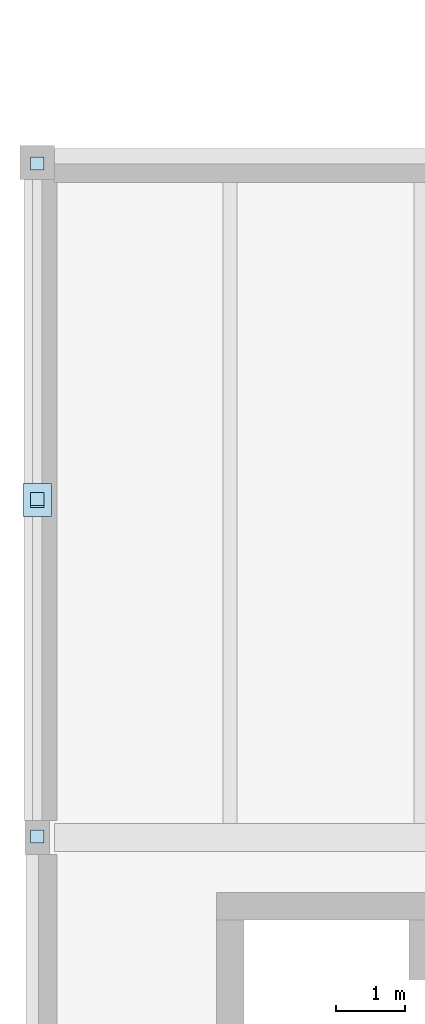
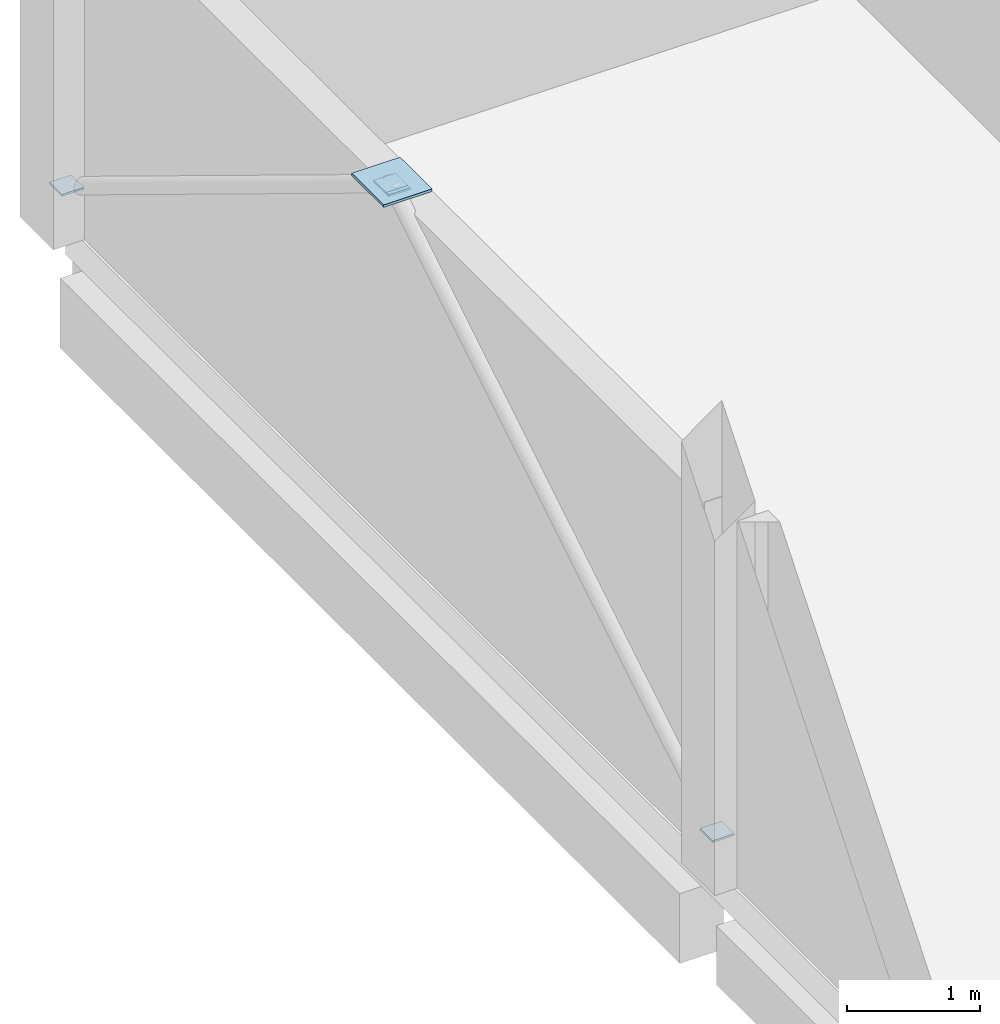
# One storey, part 17 of 35: 5 plates.
"""IFC4 building model written with IfcOpenShell, lengths in metres."""

import ifcopenshell
import ifcopenshell.guid

model = None  # the IFC model being written
_history = None  # IfcOwnerHistory: only IFC2X3 demands one
_inside = {}  # id of a spatial element -> (the spatial element, [elements in it])
_under = {}  # id of a project, library or spatial element -> (it, [spatial elements below it])
_declared = {}  # id of a project -> (the project, [libraries it declares])
_typed = {}  # id of a type object -> (the type object, [elements of that type])
_made_of = {}  # id of a material, layer set ... -> (it, [elements and type objects made of it])


def new_model(schema):
    """Start an empty IFC model of exactly this schema.

    Asked for "IFC4X3", IfcOpenShell would pick the latest addendum, in which some entities
    have other attributes; the version numbers below select the first issue.
    IFC2X3 requires an IfcOwnerHistory on every rooted entity: one is made here for all.
    """
    global model, _history
    if schema == "IFC4X3":
        model = ifcopenshell.file(schema_version=(4, 3, 0, 0))
    else:
        model = ifcopenshell.file(schema=schema)
    _inside.clear()
    _under.clear()
    _declared.clear()
    _typed.clear()
    _made_of.clear()
    _history = None
    if model.schema == "IFC2X3":
        org = make("IfcOrganization", Name="unknown")
        user = make(
            "IfcPersonAndOrganization",
            ThePerson=make("IfcPerson", FamilyName="unknown"),
            TheOrganization=org,
        )
        app = make(
            "IfcApplication",
            ApplicationDeveloper=org,
            Version="unknown",
            ApplicationFullName="unknown",
            ApplicationIdentifier="unknown",
        )
        _history = make(
            "IfcOwnerHistory",
            OwningUser=user,
            OwningApplication=app,
            ChangeAction="ADDED",
            CreationDate=0,
        )
    return model


def make(cls, **values):
    """One entity of the class cls with the attributes given. An attribute that is None is left unset."""
    return model.create_entity(
        cls, **{name: value for name, value in values.items() if value is not None}
    )


def rooted(cls, **values):
    """An entity with a GlobalId (a new one), such as an element, a storey or a relation."""
    return make(cls, GlobalId=ifcopenshell.guid.new(), OwnerHistory=_history, **values)


def si_unit(unit_type, name, prefix=None):
    """IfcSIUnit, for example si_unit("LENGTHUNIT", "METRE", prefix="MILLI")."""
    return make("IfcSIUnit", UnitType=unit_type, Prefix=prefix, Name=name)


def assignment(units):
    """IfcUnitAssignment: the units of a project."""
    return None if units is None else make("IfcUnitAssignment", Units=units)


def point(xyz):
    """IfcCartesianPoint."""
    return None if xyz is None else make("IfcCartesianPoint", Coordinates=xyz)


def direction(xyz):
    """IfcDirection."""
    return None if xyz is None else make("IfcDirection", DirectionRatios=xyz)


def frame(location, z_axis=None, x_axis=None):
    """IfcAxis2Placement3D, a coordinate frame: its origin and axes. An axis left out is left unset."""
    return make(
        "IfcAxis2Placement3D",
        Location=point(location),
        Axis=direction(z_axis),
        RefDirection=direction(x_axis),
    )


def frame_2d(location, x_axis=None):
    """IfcAxis2Placement2D, a coordinate frame in the plane: its origin and x axis."""
    return make(
        "IfcAxis2Placement2D", Location=point(location), RefDirection=direction(x_axis)
    )


def origin():
    """The frame at (0, 0, 0) with its axes left unset."""
    return frame((0.0, 0.0, 0.0))


def origin_2d():
    """The frame at (0, 0) in the plane with its x axis left unset."""
    return frame_2d((0.0, 0.0))


def place(relative_to, where):
    """IfcLocalPlacement: puts the frame where relative to a parent placement (None: the world)."""
    return make(
        "IfcLocalPlacement", PlacementRelTo=relative_to, RelativePlacement=where
    )


def context(
    kind, dimensions, precision=None, world=None, true_north=None, identifier=None
):
    """IfcGeometricRepresentationContext, for example the 3D "Model" context."""
    return make(
        "IfcGeometricRepresentationContext",
        ContextIdentifier=identifier,
        ContextType=kind,
        CoordinateSpaceDimension=dimensions,
        Precision=precision,
        WorldCoordinateSystem=world,
        TrueNorth=true_north,
    )


def subcontext(parent, identifier, kind, view, scale=None):
    """IfcGeometricRepresentationSubContext, for example "Body" below "Model"."""
    return make(
        "IfcGeometricRepresentationSubContext",
        ContextIdentifier=identifier,
        ContextType=kind,
        ParentContext=parent,
        TargetScale=scale,
        TargetView=view,
    )


def project(units=None, contexts=None):
    """IfcProject with its units and contexts."""
    return rooted(
        "IfcProject",
        Name="project",
        RepresentationContexts=contexts,
        UnitsInContext=assignment(units),
    )


def spatial(cls, under=None, at=None, **own):
    """A site, building, storey or space (cls), placed at a placement, below another one or the project."""
    s = rooted(cls, ObjectPlacement=at, **own)
    if under is not None:
        _under.setdefault(under.id(), (under, []))[1].append(s)
    return s


def profile(cls, at=None, kind="AREA", **sizes):
    """A parametric profile (cls). Its sizes go by their IFC names, for example OverallWidth=200.0."""
    return make(cls, ProfileType=kind, Position=at, **sizes)


def rectangle(**sizes):
    """IfcRectangleProfileDef."""
    return profile("IfcRectangleProfileDef", **sizes)


def extrude(swept, where, along, depth):
    """IfcExtrudedAreaSolid: the profile swept, set in the frame where, extruded along a direction by depth."""
    return make(
        "IfcExtrudedAreaSolid",
        SweptArea=swept,
        Position=where,
        ExtrudedDirection=direction(along),
        Depth=depth,
    )


def shape(context_of_items, identifier, shape_type, items):
    """IfcShapeRepresentation: the items that make up one representation, for example the "Body"."""
    return make(
        "IfcShapeRepresentation",
        ContextOfItems=context_of_items,
        RepresentationIdentifier=identifier,
        RepresentationType=shape_type,
        Items=items,
    )


def material(Name=None, Category=None):
    """IfcMaterial."""
    return make("IfcMaterial", Name=Name, Category=Category)


def layer(
    of_material, thickness, ventilated=None, Name=None, Category=None, Priority=None
):
    """IfcMaterialLayer: one layer of a wall or slab, of a material (None: an air gap)."""
    return make(
        "IfcMaterialLayer",
        Material=of_material,
        LayerThickness=thickness,
        IsVentilated=ventilated,
        Name=Name,
        Category=Category,
        Priority=Priority,
    )


def layer_set(layers, Name=None):
    """IfcMaterialLayerSet."""
    return make("IfcMaterialLayerSet", MaterialLayers=layers, LayerSetName=Name)


def made_of(thing, what):
    """Note that an element or type object is made of a material, layer set ...; save() writes the relation."""
    if what is not None:
        _made_of.setdefault(what.id(), (what, []))[1].append(thing)
    return thing


def type_object(cls, material=None, **own):
    """A type object (cls), such as IfcWallType, which elements share."""
    return made_of(rooted(cls, **own), material)


def element(
    cls,
    number,
    at=None,
    inside=None,
    cuts=None,
    type_object=None,
    material=None,
    context=None,
    identifier="Body",
    shape_type=None,
    held_by="IfcProductDefinitionShape",
    body=None,
    shapes=None,
    **own,
):
    """One element of the class cls, such as IfcWall. Its Tag is "e" and its number.

    at: its placement. inside: the storey or other place that contains it. cuts: it is an
    opening in that element (IfcRelVoidsElement). A single representation is given by context,
    identifier, shape_type and body (its items); several are given by shapes. held_by: the class
    of the entity that holds the representations. save() writes the other relations.
    """
    e = rooted(cls, Tag="e%d" % number, ObjectPlacement=at, **own)
    if body is not None:
        shapes = [shape(context, identifier, shape_type, body)]
    if shapes is not None:
        e.Representation = make(held_by, Representations=shapes)
    if inside is not None:
        _inside.setdefault(inside.id(), (inside, []))[1].append(e)
    if cuts is not None:
        rooted(
            "IfcRelVoidsElement", RelatingBuildingElement=cuts, RelatedOpeningElement=e
        )
    if type_object is not None:
        _typed.setdefault(type_object.id(), (type_object, []))[1].append(e)
    return made_of(e, material)


def aggregate(whole, parts):
    """IfcRelAggregates: a whole, such as a stair, and the parts it consists of."""
    return rooted("IfcRelAggregates", RelatingObject=whole, RelatedObjects=parts)


def save(model, path):
    """Write the relations noted so far, then the file.

    IfcRelAggregates (storeys below a building ...), IfcRelContainedInSpatialStructure (elements
    in a storey), IfcRelDefinesByType, IfcRelAssociatesMaterial and IfcRelDeclares: one each for
    every whole, place, type object, material and project.
    """
    for whole, parts in _under.values():
        aggregate(whole, parts)
    for where, things in _inside.values():
        rooted(
            "IfcRelContainedInSpatialStructure",
            RelatedElements=things,
            RelatingStructure=where,
        )
    for kind, things in _typed.values():
        rooted("IfcRelDefinesByType", RelatedObjects=things, RelatingType=kind)
    for what, things in _made_of.values():
        rooted("IfcRelAssociatesMaterial", RelatedObjects=things, RelatingMaterial=what)
    for by, libraries in _declared.values():
        rooted("IfcRelDeclares", RelatingContext=by, RelatedDefinitions=libraries)
    model.write(path)


model = new_model("IFC4")

# Units and contexts
model_context = context("Model", 3, precision=1e-05, world=origin(), true_north=direction((0.0, 1.0)))
body_context = subcontext(model_context, "Body", "Model", "MODEL_VIEW")
ifc_project = project(units=[si_unit("LENGTHUNIT", "METRE"), si_unit("AREAUNIT", "SQUARE_METRE"), si_unit("VOLUMEUNIT", "CUBIC_METRE"), si_unit("PLANEANGLEUNIT", "RADIAN"), si_unit("MASSUNIT", "GRAM", prefix="KILO")], contexts=[model_context])

# Site, building, storey
site_placement = place(None, origin())
site = spatial("IfcSite", under=ifc_project, at=site_placement, CompositionType="ELEMENT")
building_placement = place(site_placement, origin())
building = spatial("IfcBuilding", under=site, at=building_placement, Name="Birchvale Park Specialist Clinic", CompositionType="ELEMENT")
storey_placement = place(building_placement, frame((0.0, 0.0, 13.800048828125)))
storey = spatial("IfcBuildingStorey", under=building, at=storey_placement, Name="L03", CompositionType="ELEMENT", Elevation=13.800048828125)

# Plates
ifc_material = material(Name="Steel ASTM A572 Grade 50", Category="steel")
ifc_layer_1 = layer(ifc_material, 0.01806640625)
ifc_layer_set_1 = layer_set([ifc_layer_1], Name="Steel ASTM A572 Grade 50")
plate_type_1 = type_object("IfcPlateType", Name="PLT-EC4", PredefinedType="USERDEFINED", material=ifc_layer_set_1)
for number, where, z_axis, x_axis, name in (
    (1, (11.199951171875, 34.6171875, 0.351318359375), (0.0, 0.0, 1.0), (1.0, 0.0, 0.0), "V2 L03 brace sealed cap plate 9.1.1"),
    (2, (11.199951171875, 39.48291015625, 3.320556640625), (0.0, 0.0, 1.0), (1.0, 0.0, 0.0), "V2 L03 brace sealed cap plate 9.1.2"),
    (3, (11.199951171875, 44.3828125, 0.351318359375), (0.0, 0.0, 1.0), (1.0, 0.0, 0.0), "V2 L03 brace sealed cap plate 9.2.1"),
    (4, (11.199951171875, 39.51708984375, 3.320556640625), (0.0, 0.0, 1.0), (1.0, 0.0, 0.0), "V2 L03 brace sealed cap plate 9.2.2"),
):
    element("IfcPlate", number, at=place(storey_placement, frame(where, z_axis=z_axis, x_axis=x_axis)), inside=storey, type_object=plate_type_1, Name=name, ObjectType="BASE_PLATE", PredefinedType="USERDEFINED", context=body_context, shape_type="SweptSolid", body=[
        extrude(rectangle(XDim=0.18994140625, YDim=0.18994140625, at=origin_2d()), origin(), (0.0, 0.0, 1.0), 0.01806640625),
    ])
ifc_layer_2 = layer(ifc_material, 0.02197265625)
ifc_layer_set_2 = layer_set([ifc_layer_2], Name="Steel ASTM A572 Grade 50")
plate_type_2 = type_object("IfcPlateType", Name="PLT-KN3", PredefinedType="USERDEFINED", material=ifc_layer_set_2)
plate_placement = place(storey_placement, frame((11.199951171875, 39.5, 3.340087890625), z_axis=(0.0, 0.0, 1.0), x_axis=(1.0, 0.0, 0.0)))
element("IfcPlate", 5, at=plate_placement, inside=storey, type_object=plate_type_2, Name="V2 L03 braced-frame apex gusset plate KN1-9", ObjectType="GUSSET_PLATE", PredefinedType="USERDEFINED", context=body_context, shape_type="SweptSolid", body=[
    extrude(rectangle(XDim=0.419921875, YDim=0.47998046875, at=origin_2d()), origin(), (0.0, 0.0, 1.0), 0.02392578125),
])

save(model, "model.ifc")
